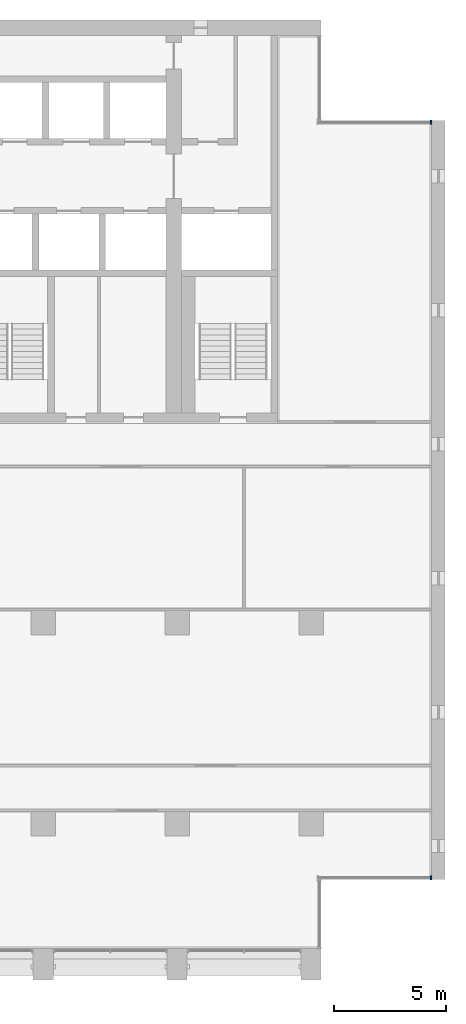
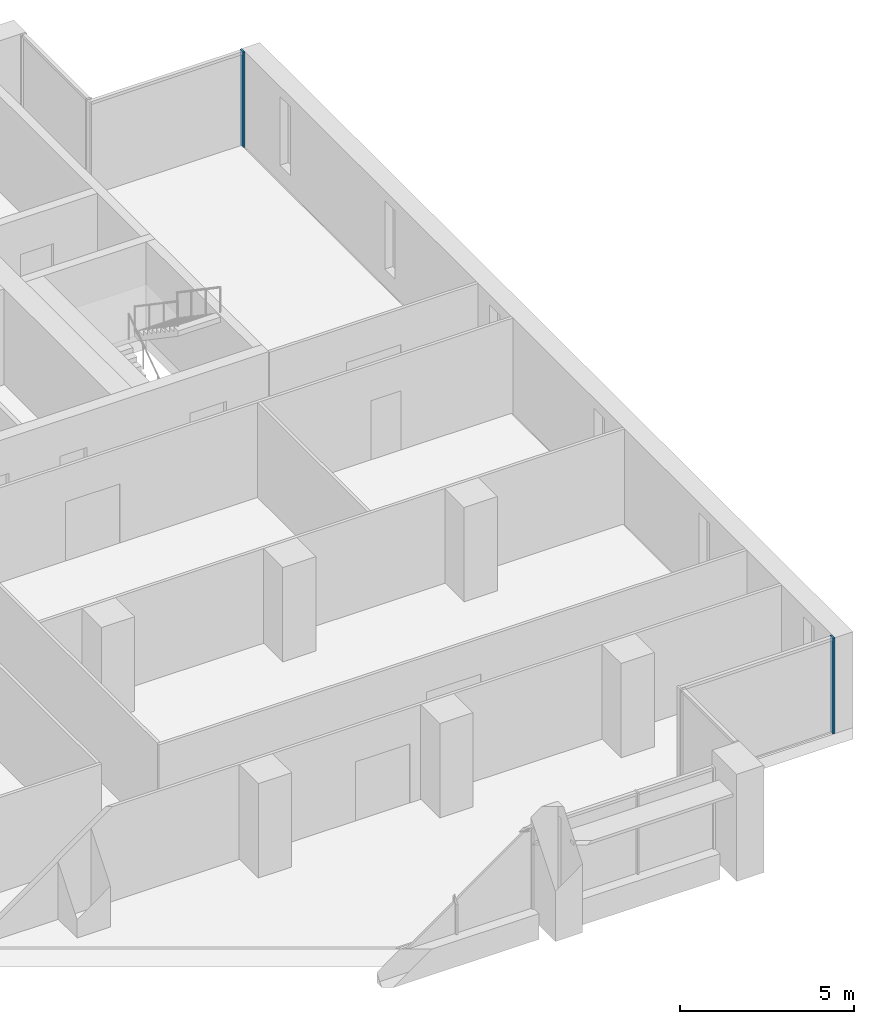
# One storey, part 6 of 17: 2 members, 2 elements without a shape of their own.
"""IFC4 building model written with IfcOpenShell, lengths in metres."""

from ifc_helpers import new_model, si_unit, direction, frame, origin, origin_2d, place, context, subcontext, project, spatial, rectangle, extrude, material, material_profile, profile_set, type_object, element, aggregate, save


model = new_model("IFC4")

# Units and contexts
model_context = context("Model", 3, precision=1e-05, world=origin(), true_north=direction((0.0, 1.0)))
body_context = subcontext(model_context, "Body", "Model", "MODEL_VIEW")
ifc_project = project(units=[si_unit("LENGTHUNIT", "METRE"), si_unit("AREAUNIT", "SQUARE_METRE"), si_unit("VOLUMEUNIT", "CUBIC_METRE"), si_unit("PLANEANGLEUNIT", "RADIAN"), si_unit("MASSUNIT", "GRAM", prefix="KILO")], contexts=[model_context])

# Site, building, storey
site_placement = place(None, origin())
site = spatial("IfcSite", under=ifc_project, at=site_placement, CompositionType="ELEMENT")
building_placement = place(site_placement, origin())
building = spatial("IfcBuilding", under=site, at=building_placement, Name="Calvaro Tower", CompositionType="ELEMENT")
storey_placement = place(building_placement, frame((0.0, 0.0, 189.25)))
storey = spatial("IfcBuildingStorey", under=building, at=storey_placement, Name="L47", CompositionType="ELEMENT", Elevation=189.25)

# Curtain wall, member
ifc_material_1 = material(Name="Anodised aluminium", Category="aluminium")
curtain_wall_type = type_object("IfcCurtainWallType", Name="Office curtain wall, upper zone", PredefinedType="NOTDEFINED", material=ifc_material_1)
curtain_wall_1_placement = place(storey_placement, origin())
curtain_wall_1 = element("IfcCurtainWall", 1, at=curtain_wall_1_placement, inside=storey, type_object=curtain_wall_type, Name="CW3 corner curtain wall", PredefinedType="NOTDEFINED")
ifc_material_2 = material(Name="Anodised aluminium", Category="aluminium")
ifc_material_profile = material_profile(ifc_material_2, rectangle(XDim=0.179931640625, YDim=0.06005859375, at=origin_2d()), Name="Mullion S3 60 x 180")
ifc_profile_set = profile_set([ifc_material_profile], Name="Anodised aluminium")
member_type = type_object("IfcMemberType", Name="Mullion S3 60 x 180", PredefinedType="MULLION", material=ifc_profile_set)
member_1_placement = place(storey_placement, frame((71.3701171875, 7.590087890625, 0.0), z_axis=(0.0, 0.0, 1.0), x_axis=(0.0, 1.0, 0.0)))
member_1 = element("IfcMember", 2, at=member_1_placement, type_object=member_type, Name="CW3 mullion 2", PredefinedType="MULLION", context=body_context, shape_type="SweptSolid", body=[
    extrude(rectangle(XDim=0.179931640625, YDim=0.06005859375, at=origin_2d()), origin(), (0.0, 0.0, 1.0), 3.35009765625),
])
aggregate(curtain_wall_1, [member_1])

curtain_wall_2_placement = place(storey_placement, origin())
curtain_wall_2 = element("IfcCurtainWall", 3, at=curtain_wall_2_placement, inside=storey, type_object=curtain_wall_type, Name="CW3 corner curtain wall", PredefinedType="NOTDEFINED")
member_2_placement = place(storey_placement, frame((71.3701171875, 41.409912109375, 0.0), z_axis=(0.0, 0.0, 1.0), x_axis=(0.0, 1.0, 0.0)))
member_2 = element("IfcMember", 4, at=member_2_placement, type_object=member_type, Name="CW3 mullion 2", PredefinedType="MULLION", context=body_context, shape_type="SweptSolid", body=[
    extrude(rectangle(XDim=0.179931640625, YDim=0.06005859375, at=origin_2d()), origin(), (0.0, 0.0, 1.0), 3.35009765625),
])
aggregate(curtain_wall_2, [member_2])

save(model, "model.ifc")
